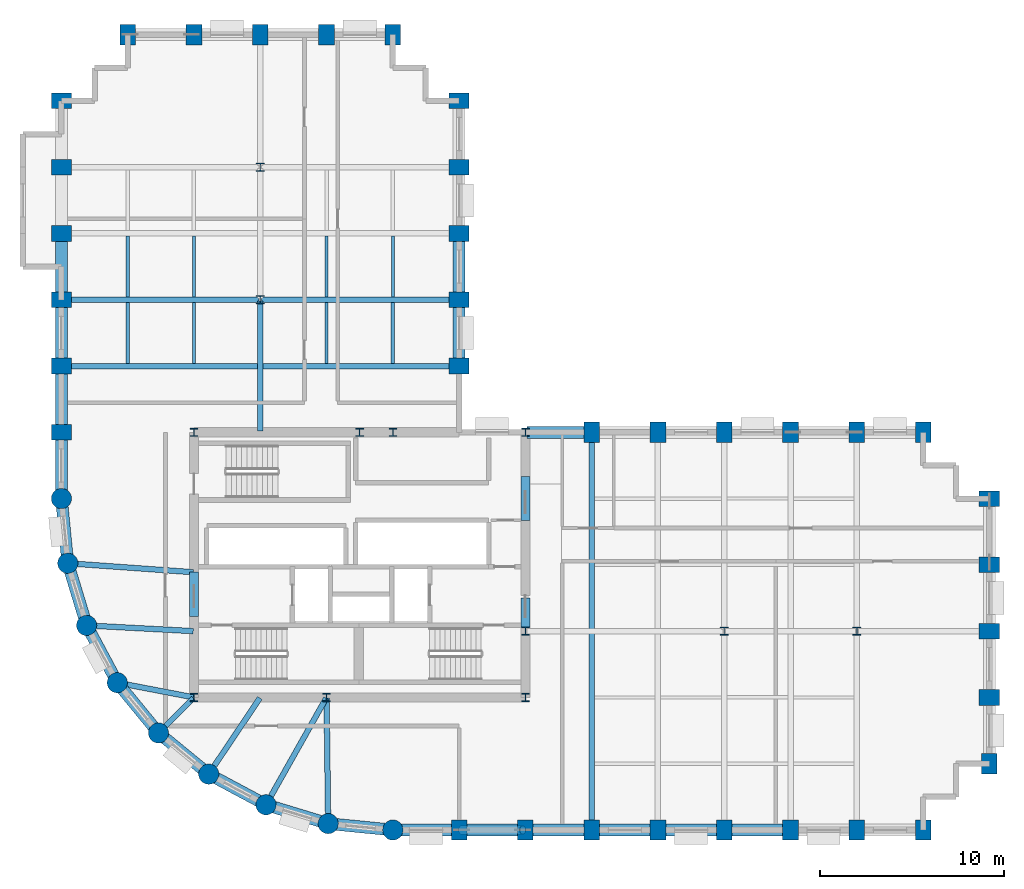
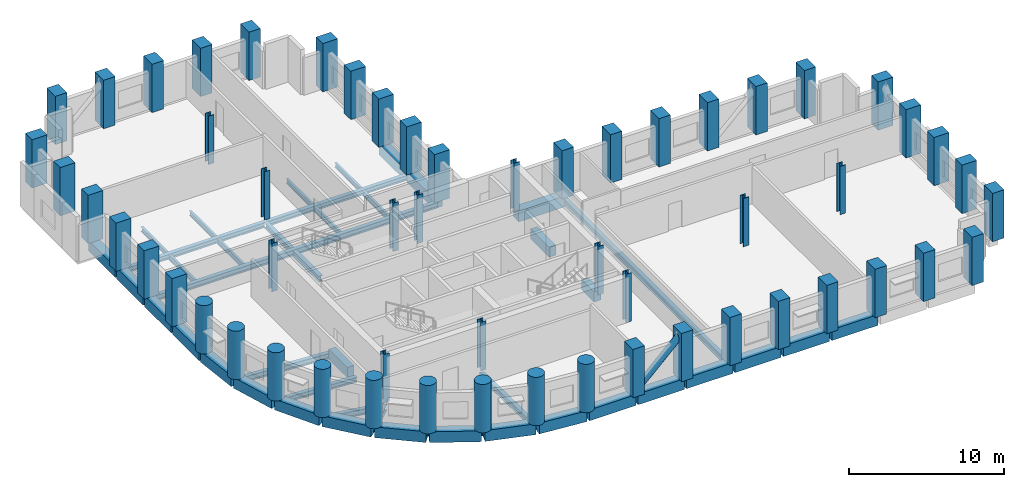
# One storey, part 1 of 8: 56 columns, 44 beams, 1 member.
"""IFC4 building model written with IfcOpenShell, lengths in metres."""

from ifc_helpers import new_model, si_unit, direction, frame, origin, origin_2d, place, context, subcontext, project, spatial, rectangle, circle, hollow_circle, i_section, extrude, material, material_profile, profile_set, type_object, element, save


model = new_model("IFC4")

# Units and contexts
model_context = context("Model", 3, precision=1e-05, world=origin(), true_north=direction((0.0, 1.0)))
body_context = subcontext(model_context, "Body", "Model", "MODEL_VIEW")
ifc_project = project(units=[si_unit("LENGTHUNIT", "METRE"), si_unit("AREAUNIT", "SQUARE_METRE"), si_unit("VOLUMEUNIT", "CUBIC_METRE"), si_unit("PLANEANGLEUNIT", "RADIAN"), si_unit("MASSUNIT", "GRAM", prefix="KILO")], contexts=[model_context])

# Site, building, storey
site_placement = place(None, origin())
site = spatial("IfcSite", under=ifc_project, at=site_placement, CompositionType="ELEMENT")
building_placement = place(site_placement, origin())
building = spatial("IfcBuilding", under=site, at=building_placement, Name="Solnavia Interchange Tower", CompositionType="ELEMENT")
storey_placement = place(building_placement, frame((0.0, 0.0, 120.0)))
storey = spatial("IfcBuildingStorey", under=building, at=storey_placement, Name="L29", CompositionType="ELEMENT", Elevation=120.0)

# Columns
ifc_material_1 = material(Name="Concrete C50/60", Category="concrete")
ifc_material_profile_1 = material_profile(ifc_material_1, rectangle(XDim=0.85009765625, YDim=1.10009765625, at=origin_2d()), Name="RC 1100x850")
ifc_profile_set_1 = profile_set([ifc_material_profile_1], Name="Concrete C50/60")
column_type_1 = type_object("IfcColumnType", Name="Col-RC-1100x850", PredefinedType="COLUMN", material=ifc_profile_set_1)
for number, where, z_axis, x_axis, name in (
    (1, (7.199951171875, 25.199951171875, 0.0), (0.0, 0.0, 1.0), (0.0, 1.0, 0.0), "COL-L29-02 Tower perim y column"),
    (2, (7.199951171875, 28.800048828125, 0.0), (0.0, 0.0, 1.0), (0.0, 1.0, 0.0), "COL-L29-03 Tower perim y column"),
    (3, (7.199951171875, 32.39990234375, 0.0), (0.0, 0.0, 1.0), (0.0, 1.0, 0.0), "COL-L29-04 Tower perim y column"),
    (4, (7.199951171875, 36.0, 0.0), (0.0, 0.0, 1.0), (0.0, 1.0, 0.0), "COL-L29-05 Tower perim y column"),
    (5, (7.199951171875, 39.60009765625, 0.0), (0.0, 0.0, 1.0), (0.0, 1.0, 0.0), "COL-L29-06 Tower perim y column"),
    (6, (7.199951171875, 43.199951171875, 0.0), (0.0, 0.0, 1.0), (0.0, 1.0, 0.0), "COL-L29-07 Tower corner column"),
    (7, (10.800048828125, 46.800048828125, 0.0), (0.0, 0.0, 1.0), (1.0, 0.0, 0.0), "COL-L29-11 Tower corner column"),
    (8, (14.39990234375, 46.800048828125, 0.0), (0.0, 0.0, 1.0), (1.0, 0.0, 0.0), "COL-L29-15 Tower perim x column"),
    (9, (18.0, 46.800048828125, 0.0), (0.0, 0.0, 1.0), (1.0, 0.0, 0.0), "COL-L29-19 Tower perim x column"),
    (10, (21.60009765625, 46.800048828125, 0.0), (0.0, 0.0, 1.0), (1.0, 0.0, 0.0), "COL-L29-22 Tower perim x column"),
    (11, (25.199951171875, 46.800048828125, 0.0), (0.0, 0.0, 1.0), (1.0, 0.0, 0.0), "COL-L29-27 Tower corner column"),
    (12, (28.800048828125, 3.60009765625, 0.0), (0.0, 0.0, 1.0), (1.0, 0.0, 0.0), "COL-L29-28 Tower perim x column"),
    (13, (28.800048828125, 28.800048828125, 0.0), (0.0, 0.0, 1.0), (0.0, 1.0, 0.0), "COL-L29-29 Tower perim y column"),
    (14, (28.800048828125, 32.39990234375, 0.0), (0.0, 0.0, 1.0), (0.0, 1.0, 0.0), "COL-L29-30 Tower perim y column"),
    (15, (28.800048828125, 36.0, 0.0), (0.0, 0.0, 1.0), (0.0, 1.0, 0.0), "COL-L29-31 Tower perim y column"),
    (16, (28.800048828125, 39.60009765625, 0.0), (0.0, 0.0, 1.0), (0.0, 1.0, 0.0), "COL-L29-32 Tower perim y column"),
    (17, (28.800048828125, 43.199951171875, 0.0), (0.0, 0.0, 1.0), (0.0, 1.0, 0.0), "COL-L29-33 Tower corner column"),
    (18, (32.39990234375, 3.60009765625, 0.0), (0.0, 0.0, 1.0), (1.0, 0.0, 0.0), "COL-L29-34 Tower perim x column"),
    (19, (36.0, 3.60009765625, 0.0), (0.0, 0.0, 1.0), (1.0, 0.0, 0.0), "COL-L29-38 Tower perim x column"),
    (20, (36.0, 25.199951171875, 0.0), (0.0, 0.0, 1.0), (1.0, 0.0, 0.0), "COL-L29-39 Tower perim x column"),
    (21, (39.60009765625, 3.60009765625, 0.0), (0.0, 0.0, 1.0), (1.0, 0.0, 0.0), "COL-L29-40 Tower perim x column"),
    (22, (39.60009765625, 25.199951171875, 0.0), (0.0, 0.0, 1.0), (1.0, 0.0, 0.0), "COL-L29-41 Tower perim x column"),
    (23, (43.199951171875, 3.60009765625, 0.0), (0.0, 0.0, 1.0), (1.0, 0.0, 0.0), "COL-L29-42 Tower perim x column"),
    (24, (43.199951171875, 25.199951171875, 0.0), (0.0, 0.0, 1.0), (1.0, 0.0, 0.0), "COL-L29-44 Tower perim x column"),
    (25, (46.800048828125, 3.60009765625, 0.0), (0.0, 0.0, 1.0), (1.0, 0.0, 0.0), "COL-L29-45 Tower perim x column"),
    (26, (46.800048828125, 25.199951171875, 0.0), (0.0, 0.0, 1.0), (1.0, 0.0, 0.0), "COL-L29-46 Tower perim x column"),
    (27, (50.39990234375, 3.60009765625, 0.0), (0.0, 0.0, 1.0), (1.0, 0.0, 0.0), "COL-L29-47 Tower perim x column"),
    (28, (50.39990234375, 25.199951171875, 0.0), (0.0, 0.0, 1.0), (1.0, 0.0, 0.0), "COL-L29-49 Tower perim x column"),
    (29, (54.0, 3.60009765625, 0.0), (0.0, 0.0, 1.0), (1.0, 0.0, 0.0), "COL-L29-50 Tower corner column"),
    (30, (54.0, 25.199951171875, 0.0), (0.0, 0.0, 1.0), (1.0, 0.0, 0.0), "COL-L29-51 Tower corner column"),
    (31, (57.60009765625, 7.199951171875, 0.0), (0.0, 0.0, 1.0), (1.0, 0.0, 0.0), "COL-L29-52 Tower corner column"),
    (32, (57.60009765625, 10.800048828125, 0.0), (0.0, 0.0, 1.0), (0.0, 1.0, 0.0), "COL-L29-53 Tower perim y column"),
    (33, (57.60009765625, 14.39990234375, 0.0), (0.0, 0.0, 1.0), (0.0, 1.0, 0.0), "COL-L29-54 Tower perim y column"),
    (34, (57.60009765625, 18.0, 0.0), (0.0, 0.0, 1.0), (0.0, 1.0, 0.0), "COL-L29-55 Tower perim y column"),
    (35, (57.60009765625, 21.60009765625, 0.0), (0.0, 0.0, 1.0), (0.0, 1.0, 0.0), "COL-L29-56 Tower corner column"),
):
    element("IfcColumn", number, at=place(storey_placement, frame(where, z_axis=z_axis, x_axis=x_axis)), inside=storey, type_object=column_type_1, Name=name, PredefinedType="COLUMN", context=body_context, shape_type="SweptSolid", body=[
        extrude(rectangle(XDim=0.85009765625, YDim=1.10009765625, at=origin_2d()), origin(), (0.0, 0.0, 1.0), 3.800048828125),
    ])
ifc_material_2 = material(Name="Concrete C60/75", Category="concrete")
ifc_material_profile_2 = material_profile(ifc_material_2, circle(Radius=0.550048828125, at=origin_2d()), Name="RC D1100")
ifc_profile_set_2 = profile_set([ifc_material_profile_2], Name="Concrete C60/75")
column_type_2 = type_object("IfcColumnType", Name="Col-RC-D1100", PredefinedType="COLUMN", material=ifc_profile_set_2)
for number, where, z_axis, x_axis, name in (
    (36, (7.199951171875, 21.60009765625, 0.0), (0.0, 0.0, 1.0), (1.0, 0.0, 0.0), "COL-L29-01 Tower drum column"),
    (37, (7.5458984375, 18.087890625, 0.0), (0.0, 0.0, 1.0), (1.0, 0.0, 0.0), "COL-L29-08 Tower drum column"),
    (38, (8.570068359375, 14.7119140625, 0.0), (0.0, 0.0, 1.0), (1.0, 0.0, 0.0), "COL-L29-09 Tower drum column"),
    (39, (10.23388671875, 11.60009765625, 0.0), (0.0, 0.0, 1.0), (1.0, 0.0, 0.0), "COL-L29-10 Tower drum column"),
    (40, (12.471923828125, 8.8720703125, 0.0), (0.0, 0.0, 1.0), (1.0, 0.0, 0.0), "COL-L29-12 Tower drum column"),
    (41, (15.199951171875, 6.634033203125, 0.0), (0.0, 0.0, 1.0), (1.0, 0.0, 0.0), "COL-L29-16 Tower drum column"),
    (42, (18.31201171875, 4.969970703125, 0.0), (0.0, 0.0, 1.0), (1.0, 0.0, 0.0), "COL-L29-20 Tower drum column"),
    (43, (21.68798828125, 3.946044921875, 0.0), (0.0, 0.0, 1.0), (1.0, 0.0, 0.0), "COL-L29-23 Tower drum column"),
    (44, (25.199951171875, 3.60009765625, 0.0), (0.0, 0.0, 1.0), (1.0, 0.0, 0.0), "COL-L29-25 Tower drum column"),
):
    element("IfcColumn", number, at=place(storey_placement, frame(where, z_axis=z_axis, x_axis=x_axis)), inside=storey, type_object=column_type_2, Name=name, PredefinedType="COLUMN", context=body_context, shape_type="SweptSolid", body=[
        extrude(circle(Radius=0.550048828125, at=origin_2d()), origin(), (0.0, 0.0, 1.0), 3.800048828125),
    ])
ifc_material_3 = material(Name="Steel S355", Category="steel")
ifc_material_profile_3 = material_profile(ifc_material_3, i_section(OverallWidth=0.416015625, OverallDepth=0.44189453125, WebThickness=0.02490234375, FlangeThickness=0.041015625, FilletRadius=0.014892578125, at=origin_2d()), Name="HD 400x382")
ifc_profile_set_3 = profile_set([ifc_material_profile_3], Name="Steel S355")
column_type_3 = type_object("IfcColumnType", Name="Col-Steel-HD400x382", PredefinedType="COLUMN", material=ifc_profile_set_3)
for number, where, z_axis, x_axis, name in (
    (45, (14.39990234375, 10.800048828125, 0.0), (0.0, 0.0, 1.0), (1.0, 0.0, 0.0), "COL-L29-13 Tower interior column"),
    (46, (14.39990234375, 25.199951171875, 0.0), (0.0, 0.0, 1.0), (1.0, 0.0, 0.0), "COL-L29-14 Tower interior column"),
    (47, (18.0, 32.39990234375, 0.0), (0.0, 0.0, 1.0), (1.0, 0.0, 0.0), "COL-L29-17 Tower interior column"),
    (48, (18.0, 39.60009765625, 0.0), (0.0, 0.0, 1.0), (1.0, 0.0, 0.0), "COL-L29-18 Tower interior column"),
    (49, (21.60009765625, 10.800048828125, 0.0), (0.0, 0.0, 1.0), (1.0, 0.0, 0.0), "COL-L29-21 Tower interior column"),
    (50, (23.39990234375, 25.199951171875, 0.0), (0.0, 0.0, 1.0), (1.0, 0.0, 0.0), "COL-L29-24 Tower interior column"),
    (51, (25.199951171875, 25.199951171875, 0.0), (0.0, 0.0, 1.0), (1.0, 0.0, 0.0), "COL-L29-26 Tower interior column"),
    (52, (32.39990234375, 10.800048828125, 0.0), (0.0, 0.0, 1.0), (1.0, 0.0, 0.0), "COL-L29-35 Tower interior column"),
    (53, (32.39990234375, 14.39990234375, 0.0), (0.0, 0.0, 1.0), (1.0, 0.0, 0.0), "COL-L29-36 Tower interior column"),
    (54, (32.39990234375, 25.199951171875, 0.0), (0.0, 0.0, 1.0), (1.0, 0.0, 0.0), "COL-L29-37 Tower interior column"),
    (55, (43.199951171875, 14.39990234375, 0.0), (0.0, 0.0, 1.0), (1.0, 0.0, 0.0), "COL-L29-43 Tower interior column"),
    (56, (50.39990234375, 14.39990234375, 0.0), (0.0, 0.0, 1.0), (1.0, 0.0, 0.0), "COL-L29-48 Tower interior column"),
):
    element("IfcColumn", number, at=place(storey_placement, frame(where, z_axis=z_axis, x_axis=x_axis)), inside=storey, type_object=column_type_3, Name=name, PredefinedType="COLUMN", context=body_context, shape_type="SweptSolid", body=[
        extrude(i_section(OverallWidth=0.416015625, OverallDepth=0.44189453125, WebThickness=0.02490234375, FlangeThickness=0.041015625, FilletRadius=0.014892578125, at=origin_2d()), origin(), (0.0, 0.0, 1.0), 3.800048828125),
    ])

# Beams
ifc_material_profile_4 = material_profile(ifc_material_1, rectangle(XDim=0.5, YDim=0.800048828125, at=origin_2d()), Name="RC 500x800")
ifc_profile_set_4 = profile_set([ifc_material_profile_4], Name="Concrete C50/60")
beam_type_1 = type_object("IfcBeamType", Name="Beam-Coupling-RC500x800", PredefinedType="LINTEL", material=ifc_profile_set_4)
beam_1_placement = place(storey_placement, frame((14.39990234375, 15.199951171875, -0.39990234375), z_axis=(0.0, 1.0, 0.0), x_axis=(-1.0, 0.0, 0.0)))
element("IfcBeam", 57, at=beam_1_placement, inside=storey, type_object=beam_type_1, Name="CPB-L29-W1 Core coupling lintel beam", PredefinedType="LINTEL", context=body_context, shape_type="SweptSolid", body=[
    extrude(rectangle(XDim=0.5, YDim=0.800048828125, at=origin_2d()), origin(), (0.0, 0.0, 1.0), 2.400146484375),
])
beam_2_placement = place(storey_placement, frame((32.39990234375, 14.60009765625, -0.39990234375), z_axis=(0.0, 1.0, 0.0), x_axis=(-1.0, 0.0, 0.0)))
element("IfcBeam", 58, at=beam_2_placement, inside=storey, type_object=beam_type_1, Name="CPB-L29-E1 Core coupling lintel beam", PredefinedType="LINTEL", context=body_context, shape_type="SweptSolid", body=[
    extrude(rectangle(XDim=0.5, YDim=0.800048828125, at=origin_2d()), origin(), (0.0, 0.0, 1.0), 1.599853515625),
])
beam_3_placement = place(storey_placement, frame((32.39990234375, 20.39990234375, -0.39990234375), z_axis=(0.0, 1.0, 0.0), x_axis=(-1.0, 0.0, 0.0)))
element("IfcBeam", 59, at=beam_3_placement, inside=storey, type_object=beam_type_1, Name="CPB-L29-E2 Core coupling lintel beam", PredefinedType="LINTEL", context=body_context, shape_type="SweptSolid", body=[
    extrude(rectangle(XDim=0.5, YDim=0.800048828125, at=origin_2d()), origin(), (0.0, 0.0, 1.0), 2.400146484375),
])
ifc_material_4 = material(Name="Steel S460", Category="steel")
ifc_material_profile_5 = material_profile(ifc_material_4, i_section(OverallWidth=0.300048828125, OverallDepth=0.449951171875, WebThickness=0.013916015625, FlangeThickness=0.02587890625, FilletRadius=0.027099609375, at=origin_2d()), Name="HEB 450")
ifc_profile_set_5 = profile_set([ifc_material_profile_5], Name="Steel S460")
beam_type_2 = type_object("IfcBeamType", Name="Beam-Girder-HEB450", PredefinedType="BEAM", material=ifc_profile_set_5)
beam_4_placement = place(storey_placement, frame((36.0, 3.679931640625, -0.47509765625), z_axis=(0.0, 1.0, 0.0), x_axis=(-1.0, 0.0, 0.0)))
element("IfcBeam", 60, at=beam_4_placement, inside=storey, type_object=beam_type_2, Name="GRD-L29-EW04 East wing primary floor girder", PredefinedType="BEAM", context=body_context, shape_type="SweptSolid", body=[
    extrude(i_section(OverallWidth=0.300048828125, OverallDepth=0.449951171875, WebThickness=0.013916015625, FlangeThickness=0.02587890625, FilletRadius=0.027099609375, at=origin_2d()), origin(), (0.0, 0.0, 1.0), 21.440185546875),
])
beam_5_placement = place(storey_placement, frame((18.0, 25.280029296875, -0.47509765625), z_axis=(0.0, 1.0, 0.0), x_axis=(-1.0, 0.0, 0.0)))
element("IfcBeam", 61, at=beam_5_placement, inside=storey, type_object=beam_type_2, Name="GRD-L29-NS11 North wing spine girder", PredefinedType="BEAM", context=body_context, shape_type="SweptSolid", body=[
    extrude(i_section(OverallWidth=0.300048828125, OverallDepth=0.449951171875, WebThickness=0.013916015625, FlangeThickness=0.02587890625, FilletRadius=0.027099609375, at=origin_2d()), origin(), (0.0, 0.0, 1.0), 7.0400390625),
])
beam_6_placement = place(storey_placement, frame((10.3125, 11.5849609375, -0.47509765625), z_axis=(0.982057527796, -0.188581579428, 0.0), x_axis=(0.188581579428, 0.982057527796, 0.0)))
element("IfcBeam", 62, at=beam_6_placement, inside=storey, type_object=beam_type_2, Name="GRD-L29-DR22 Drum radial floor girder", PredefinedType="BEAM", context=body_context, shape_type="SweptSolid", body=[
    extrude(i_section(OverallWidth=0.300048828125, OverallDepth=0.449951171875, WebThickness=0.013916015625, FlangeThickness=0.02587890625, FilletRadius=0.027099609375, at=origin_2d()), origin(), (0.0, 0.0, 1.0), 4.1220703125),
])
beam_7_placement = place(storey_placement, frame((18.351318359375, 5.039794921875, -0.47509765625), z_axis=(0.491243158486, 0.871022479182, 0.0), x_axis=(-0.871022479182, 0.491243158486, 0.0)))
element("IfcBeam", 63, at=beam_7_placement, inside=storey, type_object=beam_type_2, Name="GRD-L29-DR25 Drum radial floor girder", PredefinedType="BEAM", context=body_context, shape_type="SweptSolid", body=[
    extrude(i_section(OverallWidth=0.300048828125, OverallDepth=0.449951171875, WebThickness=0.013916015625, FlangeThickness=0.02587890625, FilletRadius=0.027099609375, at=origin_2d()), origin(), (0.0, 0.0, 1.0), 6.5732421875),
])
ifc_material_profile_6 = material_profile(ifc_material_3, i_section(OverallWidth=0.169921875, OverallDepth=0.360107421875, WebThickness=0.008056640625, FlangeThickness=0.0126953125, FilletRadius=0.01806640625, at=origin_2d()), Name="IPE 360")
ifc_profile_set_6 = profile_set([ifc_material_profile_6], Name="Steel S355")
beam_type_3 = type_object("IfcBeamType", Name="Beam-Joist-IPE360", PredefinedType="JOIST", material=ifc_profile_set_6)
for number, where, z_axis, x_axis, name in (
    (64, (10.800048828125, 32.550048828125, -0.429931640625), (0.0, 1.0, 0.0), (-1.0, 0.0, 0.0), "JST-L29-N18 North wing secondary joist"),
    (65, (14.39990234375, 32.550048828125, -0.429931640625), (0.0, 1.0, 0.0), (-1.0, 0.0, 0.0), "JST-L29-N21 North wing secondary joist"),
    (66, (21.60009765625, 32.550048828125, -0.429931640625), (0.0, 1.0, 0.0), (-1.0, 0.0, 0.0), "JST-L29-N24 North wing secondary joist"),
    (67, (25.199951171875, 32.550048828125, -0.429931640625), (0.0, 1.0, 0.0), (-1.0, 0.0, 0.0), "JST-L29-N27 North wing secondary joist"),
):
    element("IfcBeam", number, at=place(storey_placement, frame(where, z_axis=z_axis, x_axis=x_axis)), inside=storey, type_object=beam_type_3, Name=name, PredefinedType="JOIST", context=body_context, shape_type="SweptSolid", body=[
        extrude(i_section(OverallWidth=0.169921875, OverallDepth=0.360107421875, WebThickness=0.008056640625, FlangeThickness=0.0126953125, FilletRadius=0.01806640625, at=origin_2d()), origin(), (0.0, 0.0, 1.0), 3.300048828125),
    ])
ifc_material_profile_7 = material_profile(ifc_material_3, i_section(OverallWidth=0.179931640625, OverallDepth=0.39990234375, WebThickness=0.008544921875, FlangeThickness=0.013427734375, FilletRadius=0.02099609375, at=origin_2d()), Name="IPE 400")
ifc_profile_set_7 = profile_set([ifc_material_profile_7], Name="Steel S355")
beam_type_4 = type_object("IfcBeamType", Name="Beam-Joist-IPE400", PredefinedType="JOIST", material=ifc_profile_set_7)
for number, where, z_axis, x_axis, name in (
    (68, (10.800048828125, 28.949951171875, -0.449951171875), (0.0, 1.0, 0.0), (-1.0, 0.0, 0.0), "JST-L29-N17 North wing secondary joist"),
    (69, (14.39990234375, 28.949951171875, -0.449951171875), (0.0, 1.0, 0.0), (-1.0, 0.0, 0.0), "JST-L29-N20 North wing secondary joist"),
    (70, (21.60009765625, 28.949951171875, -0.449951171875), (0.0, 1.0, 0.0), (-1.0, 0.0, 0.0), "JST-L29-N23 North wing secondary joist"),
    (71, (25.199951171875, 28.949951171875, -0.449951171875), (0.0, 1.0, 0.0), (-1.0, 0.0, 0.0), "JST-L29-N26 North wing secondary joist"),
):
    element("IfcBeam", number, at=place(storey_placement, frame(where, z_axis=z_axis, x_axis=x_axis)), inside=storey, type_object=beam_type_4, Name=name, PredefinedType="JOIST", context=body_context, shape_type="SweptSolid", body=[
        extrude(i_section(OverallWidth=0.179931640625, OverallDepth=0.39990234375, WebThickness=0.008544921875, FlangeThickness=0.013427734375, FilletRadius=0.02099609375, at=origin_2d()), origin(), (0.0, 0.0, 1.0), 3.300048828125),
    ])
ifc_material_profile_8 = material_profile(ifc_material_3, i_section(OverallWidth=0.300048828125, OverallDepth=0.389892578125, WebThickness=0.010986328125, FlangeThickness=0.01904296875, FilletRadius=0.027099609375, at=origin_2d()), Name="HEA 400")
ifc_profile_set_8 = profile_set([ifc_material_profile_8], Name="Steel S355")
beam_type_5 = type_object("IfcBeamType", Name="Beam-Primary-HEA400", PredefinedType="BEAM", material=ifc_profile_set_8)
for number, where, z_axis, x_axis, name in (
    (72, (7.280029296875, 32.39990234375, -0.445068359375), (1.0, 0.0, 0.0), (0.0, 1.0, 0.0), "GRD-L29-NW15 North wing primary floor girder"),
    (73, (18.080078125, 32.39990234375, -0.445068359375), (1.0, 0.0, 0.0), (0.0, 1.0, 0.0), "GRD-L29-NW16 North wing primary floor girder"),
):
    element("IfcBeam", number, at=place(storey_placement, frame(where, z_axis=z_axis, x_axis=x_axis)), inside=storey, type_object=beam_type_5, Name=name, PredefinedType="BEAM", context=body_context, shape_type="SweptSolid", body=[
        extrude(i_section(OverallWidth=0.300048828125, OverallDepth=0.389892578125, WebThickness=0.010986328125, FlangeThickness=0.01904296875, FilletRadius=0.027099609375, at=origin_2d()), origin(), (0.0, 0.0, 1.0), 10.639892578125),
    ])
beam_8_placement = place(storey_placement, frame((8.64990234375, 14.707763671875, -0.445068359375), z_axis=(0.998570371303, -0.053452909696, 0.0), x_axis=(0.053452909696, 0.998570371303, 0.0)))
element("IfcBeam", 74, at=beam_8_placement, inside=storey, type_object=beam_type_5, Name="GRD-L29-DR21 Drum radial floor girder", PredefinedType="BEAM", context=body_context, shape_type="SweptSolid", body=[
    extrude(i_section(OverallWidth=0.300048828125, OverallDepth=0.389892578125, WebThickness=0.010986328125, FlangeThickness=0.01904296875, FilletRadius=0.027099609375, at=origin_2d()), origin(), (0.0, 0.0, 1.0), 5.71826171875),
])
beam_9_placement = place(storey_placement, frame((15.24462890625, 6.700439453125, -0.445068359375), z_axis=(0.557835474219, 0.829951555033, 0.0), x_axis=(-0.829951555033, 0.557835474219, 0.0)))
element("IfcBeam", 75, at=beam_9_placement, inside=storey, type_object=beam_type_5, Name="GRD-L29-DR24 Drum radial floor girder", PredefinedType="BEAM", context=body_context, shape_type="SweptSolid", body=[
    extrude(i_section(OverallWidth=0.300048828125, OverallDepth=0.389892578125, WebThickness=0.010986328125, FlangeThickness=0.01904296875, FilletRadius=0.027099609375, at=origin_2d()), origin(), (0.0, 0.0, 1.0), 4.899658203125),
])
ifc_material_profile_9 = material_profile(ifc_material_3, i_section(OverallWidth=0.300048828125, OverallDepth=0.43994140625, WebThickness=0.011474609375, FlangeThickness=0.02099609375, FilletRadius=0.027099609375, at=origin_2d()), Name="HEA 450")
ifc_profile_set_9 = profile_set([ifc_material_profile_9], Name="Steel S355")
beam_type_6 = type_object("IfcBeamType", Name="Beam-Primary-HEA450", PredefinedType="BEAM", material=ifc_profile_set_9)
beam_10_placement = place(storey_placement, frame((7.280029296875, 28.800048828125, -0.469970703125), z_axis=(1.0, 0.0, 0.0), x_axis=(0.0, 1.0, 0.0)))
element("IfcBeam", 76, at=beam_10_placement, inside=storey, type_object=beam_type_6, Name="GRD-L29-NW14 North wing primary floor girder", PredefinedType="BEAM", context=body_context, shape_type="SweptSolid", body=[
    extrude(i_section(OverallWidth=0.300048828125, OverallDepth=0.43994140625, WebThickness=0.011474609375, FlangeThickness=0.02099609375, FilletRadius=0.027099609375, at=origin_2d()), origin(), (0.0, 0.0, 1.0), 21.43994140625),
])
beam_11_placement = place(storey_placement, frame((7.625732421875, 18.082275390625, -0.469970703125), z_axis=(0.99747482749, -0.071020902015, 0.0), x_axis=(0.071020902015, 0.99747482749, 0.0)))
element("IfcBeam", 77, at=beam_11_placement, inside=storey, type_object=beam_type_6, Name="GRD-L29-DR20 Drum radial floor girder", PredefinedType="BEAM", context=body_context, shape_type="SweptSolid", body=[
    extrude(i_section(OverallWidth=0.300048828125, OverallDepth=0.43994140625, WebThickness=0.011474609375, FlangeThickness=0.02099609375, FilletRadius=0.027099609375, at=origin_2d()), origin(), (0.0, 0.0, 1.0), 6.75146484375),
])
beam_12_placement = place(storey_placement, frame((12.528564453125, 8.9287109375, -0.469970703125), z_axis=(0.707106781187, 0.707106781187, 0.0), x_axis=(-0.707106781187, 0.707106781187, 0.0)))
element("IfcBeam", 78, at=beam_12_placement, inside=storey, type_object=beam_type_6, Name="GRD-L29-DR23 Drum radial floor girder", PredefinedType="BEAM", context=body_context, shape_type="SweptSolid", body=[
    extrude(i_section(OverallWidth=0.300048828125, OverallDepth=0.43994140625, WebThickness=0.011474609375, FlangeThickness=0.02099609375, FilletRadius=0.027099609375, at=origin_2d()), origin(), (0.0, 0.0, 1.0), 2.6064453125),
])
beam_13_placement = place(storey_placement, frame((21.68701171875, 4.02587890625, -0.469970703125), z_axis=(-0.01283293513, 0.999917654498, 0.0), x_axis=(-0.999917654498, -0.01283293513, 0.0)))
element("IfcBeam", 79, at=beam_13_placement, inside=storey, type_object=beam_type_6, Name="GRD-L29-DR26 Drum radial floor girder", PredefinedType="BEAM", context=body_context, shape_type="SweptSolid", body=[
    extrude(i_section(OverallWidth=0.300048828125, OverallDepth=0.43994140625, WebThickness=0.011474609375, FlangeThickness=0.02099609375, FilletRadius=0.027099609375, at=origin_2d()), origin(), (0.0, 0.0, 1.0), 6.734619140625),
])
ifc_material_profile_10 = material_profile(ifc_material_1, rectangle(XDim=0.64990234375, YDim=0.85009765625, at=origin_2d()), Name="RC 650x850")
ifc_profile_set_10 = profile_set([ifc_material_profile_10], Name="Concrete C50/60")
beam_type_7 = type_object("IfcBeamType", Name="Beam-Spandrel-RC650x850", PredefinedType="SPANDREL", material=ifc_profile_set_10)
beam_14_placement = place(storey_placement, frame((7.207763671875, 21.5205078125, -0.425048828125), z_axis=(0.098040038117, -0.995182471171, 0.0), x_axis=(0.995182471171, 0.098040038117, 0.0)))
element("IfcBeam", 80, at=beam_14_placement, inside=storey, type_object=beam_type_7, Name="SPB-L29-01 Framed-tube perimeter spandrel beam", PredefinedType="SPANDREL", context=body_context, shape_type="SweptSolid", body=[
    extrude(rectangle(XDim=0.64990234375, YDim=0.85009765625, at=origin_2d()), origin(), (0.0, 0.0, 1.0), 3.369140625),
])
beam_15_placement = place(storey_placement, frame((7.569091796875, 18.011474609375, -0.425048828125), z_axis=(0.290319223646, -0.956929855518, 0.0), x_axis=(0.956929855518, 0.290319223646, 0.0)))
element("IfcBeam", 81, at=beam_15_placement, inside=storey, type_object=beam_type_7, Name="SPB-L29-02 Framed-tube perimeter spandrel beam", PredefinedType="SPANDREL", context=body_context, shape_type="SweptSolid", body=[
    extrude(rectangle(XDim=0.64990234375, YDim=0.85009765625, at=origin_2d()), origin(), (0.0, 0.0, 1.0), 3.367919921875),
])
beam_16_placement = place(storey_placement, frame((8.607666015625, 14.6416015625, -0.425048828125), z_axis=(0.471509422952, -0.881861023102, 0.0), x_axis=(0.881861023102, 0.471509422952, 0.0)))
element("IfcBeam", 82, at=beam_16_placement, inside=storey, type_object=beam_type_7, Name="SPB-L29-03 Framed-tube perimeter spandrel beam", PredefinedType="SPANDREL", context=body_context, shape_type="SweptSolid", body=[
    extrude(rectangle(XDim=0.64990234375, YDim=0.85009765625, at=origin_2d()), origin(), (0.0, 0.0, 1.0), 3.369140625),
])
for number, where, z_axis, x_axis, name in (
    (83, (10.28466796875, 11.5380859375, -0.425048828125), (0.634298841675, -0.773087950656, 0.0), (0.773087950656, 0.634298841675, 0.0), "SPB-L29-04 Framed-tube perimeter spandrel beam"),
    (84, (12.53369140625, 8.8212890625, -0.425048828125), (0.773152644452, -0.634219984214, 0.0), (0.634219984214, 0.773152644452, 0.0), "SPB-L29-05 Framed-tube perimeter spandrel beam"),
):
    element("IfcBeam", number, at=place(storey_placement, frame(where, z_axis=z_axis, x_axis=x_axis)), inside=storey, type_object=beam_type_7, Name=name, PredefinedType="SPANDREL", context=body_context, shape_type="SweptSolid", body=[
        extrude(rectangle(XDim=0.64990234375, YDim=0.85009765625, at=origin_2d()), origin(), (0.0, 0.0, 1.0), 3.36865234375),
    ])
beam_17_placement = place(storey_placement, frame((15.2705078125, 6.59619140625, -0.425048828125), z_axis=(0.881875044348, -0.47148319817, 0.0), x_axis=(0.47148319817, 0.881875044348, 0.0)))
element("IfcBeam", 85, at=beam_17_placement, inside=storey, type_object=beam_type_7, Name="SPB-L29-06 Framed-tube perimeter spandrel beam", PredefinedType="SPANDREL", context=body_context, shape_type="SweptSolid", body=[
    extrude(rectangle(XDim=0.64990234375, YDim=0.85009765625, at=origin_2d()), origin(), (0.0, 0.0, 1.0), 3.368896484375),
])
beam_18_placement = place(storey_placement, frame((18.388671875, 4.94677734375, -0.425048828125), z_axis=(0.956943884494, -0.290272978297, 0.0), x_axis=(0.290272978297, 0.956943884494, 0.0)))
element("IfcBeam", 86, at=beam_18_placement, inside=storey, type_object=beam_type_7, Name="SPB-L29-07 Framed-tube perimeter spandrel beam", PredefinedType="SPANDREL", context=body_context, shape_type="SweptSolid", body=[
    extrude(rectangle(XDim=0.64990234375, YDim=0.85009765625, at=origin_2d()), origin(), (0.0, 0.0, 1.0), 3.36767578125),
])
beam_19_placement = place(storey_placement, frame((21.767578125, 3.938232421875, -0.425048828125), z_axis=(0.995181774609, -0.098047108501, 0.0), x_axis=(0.098047108501, 0.995181774609, 0.0)))
element("IfcBeam", 87, at=beam_19_placement, inside=storey, type_object=beam_type_7, Name="SPB-L29-08 Framed-tube perimeter spandrel beam", PredefinedType="SPANDREL", context=body_context, shape_type="SweptSolid", body=[
    extrude(rectangle(XDim=0.64990234375, YDim=0.85009765625, at=origin_2d()), origin(), (0.0, 0.0, 1.0), 3.368896484375),
])
beam_20_placement = place(storey_placement, frame((25.280029296875, 3.60009765625, -0.425048828125), z_axis=(1.0, 0.0, 0.0), x_axis=(0.0, 1.0, 0.0)))
element("IfcBeam", 88, at=beam_20_placement, inside=storey, type_object=beam_type_7, Name="SPB-L29-09 Framed-tube perimeter spandrel beam", PredefinedType="SPANDREL", context=body_context, shape_type="SweptSolid", body=[
    extrude(rectangle(XDim=0.64990234375, YDim=0.85009765625, at=origin_2d()), origin(), (0.0, 0.0, 1.0), 3.43994140625),
])
beam_21_placement = place(storey_placement, frame((28.8798828125, 3.60009765625, -0.425048828125), z_axis=(1.0, 0.0, 0.0), x_axis=(0.0, 1.0, 0.0)))
element("IfcBeam", 89, at=beam_21_placement, inside=storey, type_object=beam_type_7, Name="SPB-L29-10 Framed-tube perimeter spandrel beam", PredefinedType="SPANDREL", context=body_context, shape_type="SweptSolid", body=[
    extrude(rectangle(XDim=0.64990234375, YDim=0.85009765625, at=origin_2d()), origin(), (0.0, 0.0, 1.0), 3.440185546875),
])
for number, where, z_axis, x_axis, name in (
    (90, (32.47998046875, 3.60009765625, -0.425048828125), (1.0, 0.0, 0.0), (0.0, 1.0, 0.0), "SPB-L29-11 Framed-tube perimeter spandrel beam"),
    (91, (36.080078125, 3.60009765625, -0.425048828125), (1.0, 0.0, 0.0), (0.0, 1.0, 0.0), "SPB-L29-12 Framed-tube perimeter spandrel beam"),
):
    element("IfcBeam", number, at=place(storey_placement, frame(where, z_axis=z_axis, x_axis=x_axis)), inside=storey, type_object=beam_type_7, Name=name, PredefinedType="SPANDREL", context=body_context, shape_type="SweptSolid", body=[
        extrude(rectangle(XDim=0.64990234375, YDim=0.85009765625, at=origin_2d()), origin(), (0.0, 0.0, 1.0), 3.43994140625),
    ])
beam_22_placement = place(storey_placement, frame((39.679931640625, 3.60009765625, -0.425048828125), z_axis=(1.0, 0.0, 0.0), x_axis=(0.0, 1.0, 0.0)))
element("IfcBeam", 92, at=beam_22_placement, inside=storey, type_object=beam_type_7, Name="SPB-L29-13 Framed-tube perimeter spandrel beam", PredefinedType="SPANDREL", context=body_context, shape_type="SweptSolid", body=[
    extrude(rectangle(XDim=0.64990234375, YDim=0.85009765625, at=origin_2d()), origin(), (0.0, 0.0, 1.0), 3.440185546875),
])
for number, where, z_axis, x_axis, name in (
    (93, (43.280029296875, 3.60009765625, -0.425048828125), (1.0, 0.0, 0.0), (0.0, 1.0, 0.0), "SPB-L29-14 Framed-tube perimeter spandrel beam"),
    (94, (35.919921875, 25.199951171875, -0.425048828125), (-1.0, 0.0, 0.0), (0.0, -1.0, 0.0), "SPB-L29-26 Framed-tube perimeter spandrel beam"),
):
    element("IfcBeam", number, at=place(storey_placement, frame(where, z_axis=z_axis, x_axis=x_axis)), inside=storey, type_object=beam_type_7, Name=name, PredefinedType="SPANDREL", context=body_context, shape_type="SweptSolid", body=[
        extrude(rectangle(XDim=0.64990234375, YDim=0.85009765625, at=origin_2d()), origin(), (0.0, 0.0, 1.0), 3.43994140625),
    ])
beam_23_placement = place(storey_placement, frame((28.800048828125, 28.8798828125, -0.425048828125), z_axis=(0.0, 1.0, 0.0), x_axis=(-1.0, 0.0, 0.0)))
element("IfcBeam", 95, at=beam_23_placement, inside=storey, type_object=beam_type_7, Name="SPB-L29-27 Framed-tube perimeter spandrel beam", PredefinedType="SPANDREL", context=body_context, shape_type="SweptSolid", body=[
    extrude(rectangle(XDim=0.64990234375, YDim=0.85009765625, at=origin_2d()), origin(), (0.0, 0.0, 1.0), 3.440185546875),
])
for number, where, z_axis, x_axis, name in (
    (96, (28.800048828125, 32.47998046875, -0.425048828125), (0.0, 1.0, 0.0), (-1.0, 0.0, 0.0), "SPB-L29-28 Framed-tube perimeter spandrel beam"),
    (97, (7.199951171875, 35.919921875, -0.425048828125), (0.0, -1.0, 0.0), (1.0, 0.0, 0.0), "SPB-L29-37 Framed-tube perimeter spandrel beam"),
):
    element("IfcBeam", number, at=place(storey_placement, frame(where, z_axis=z_axis, x_axis=x_axis)), inside=storey, type_object=beam_type_7, Name=name, PredefinedType="SPANDREL", context=body_context, shape_type="SweptSolid", body=[
        extrude(rectangle(XDim=0.64990234375, YDim=0.85009765625, at=origin_2d()), origin(), (0.0, 0.0, 1.0), 3.43994140625),
    ])
beam_24_placement = place(storey_placement, frame((7.199951171875, 32.320068359375, -0.425048828125), z_axis=(0.0, -1.0, 0.0), x_axis=(1.0, 0.0, 0.0)))
element("IfcBeam", 98, at=beam_24_placement, inside=storey, type_object=beam_type_7, Name="SPB-L29-38 Framed-tube perimeter spandrel beam", PredefinedType="SPANDREL", context=body_context, shape_type="SweptSolid", body=[
    extrude(rectangle(XDim=0.64990234375, YDim=0.85009765625, at=origin_2d()), origin(), (0.0, 0.0, 1.0), 3.440185546875),
])
beam_25_placement = place(storey_placement, frame((7.199951171875, 28.719970703125, -0.425048828125), z_axis=(0.0, -1.0, 0.0), x_axis=(1.0, 0.0, 0.0)))
element("IfcBeam", 99, at=beam_25_placement, inside=storey, type_object=beam_type_7, Name="SPB-L29-39 Framed-tube perimeter spandrel beam", PredefinedType="SPANDREL", context=body_context, shape_type="SweptSolid", body=[
    extrude(rectangle(XDim=0.64990234375, YDim=0.85009765625, at=origin_2d()), origin(), (0.0, 0.0, 1.0), 3.43994140625),
])
beam_26_placement = place(storey_placement, frame((7.199951171875, 25.1201171875, -0.425048828125), z_axis=(0.0, -1.0, 0.0), x_axis=(1.0, 0.0, 0.0)))
element("IfcBeam", 100, at=beam_26_placement, inside=storey, type_object=beam_type_7, Name="SPB-L29-40 Framed-tube perimeter spandrel beam", PredefinedType="SPANDREL", context=body_context, shape_type="SweptSolid", body=[
    extrude(rectangle(XDim=0.64990234375, YDim=0.85009765625, at=origin_2d()), origin(), (0.0, 0.0, 1.0), 3.440185546875),
])

# Member
ifc_material_profile_11 = material_profile(ifc_material_4, hollow_circle(Radius=0.25390625, WallThickness=0.02490234375, at=origin_2d()), Name="CHS 508x25")
ifc_profile_set_11 = profile_set([ifc_material_profile_11], Name="Steel S460")
member_type = type_object("IfcMemberType", Name="Brace-Perim-CHS508", PredefinedType="BRACE", material=ifc_profile_set_11)
member_placement = place(storey_placement, frame((28.93994140625, 3.60009765625, 0.179931640625), z_axis=(0.721070427335, 0.0, 0.692861774688), x_axis=(0.0, 1.0, 0.0)))
element("IfcMember", 101, at=member_placement, inside=storey, type_object=member_type, Name="BRC-L29-01 Perimeter tube diagonal brace", PredefinedType="BRACE", context=body_context, shape_type="SweptSolid", body=[
    extrude(hollow_circle(Radius=0.25390625, WallThickness=0.02490234375, at=origin_2d()), origin(), (0.0, 0.0, 1.0), 4.604248046875),
])

save(model, "model.ifc")
